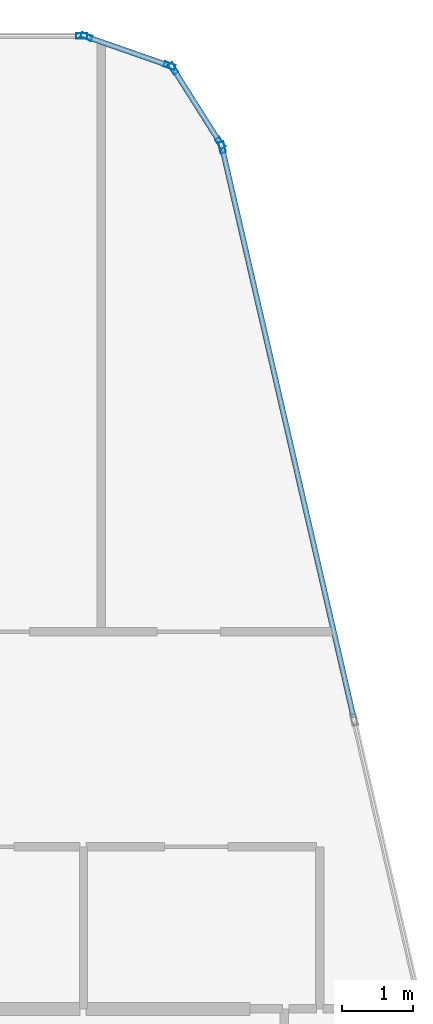
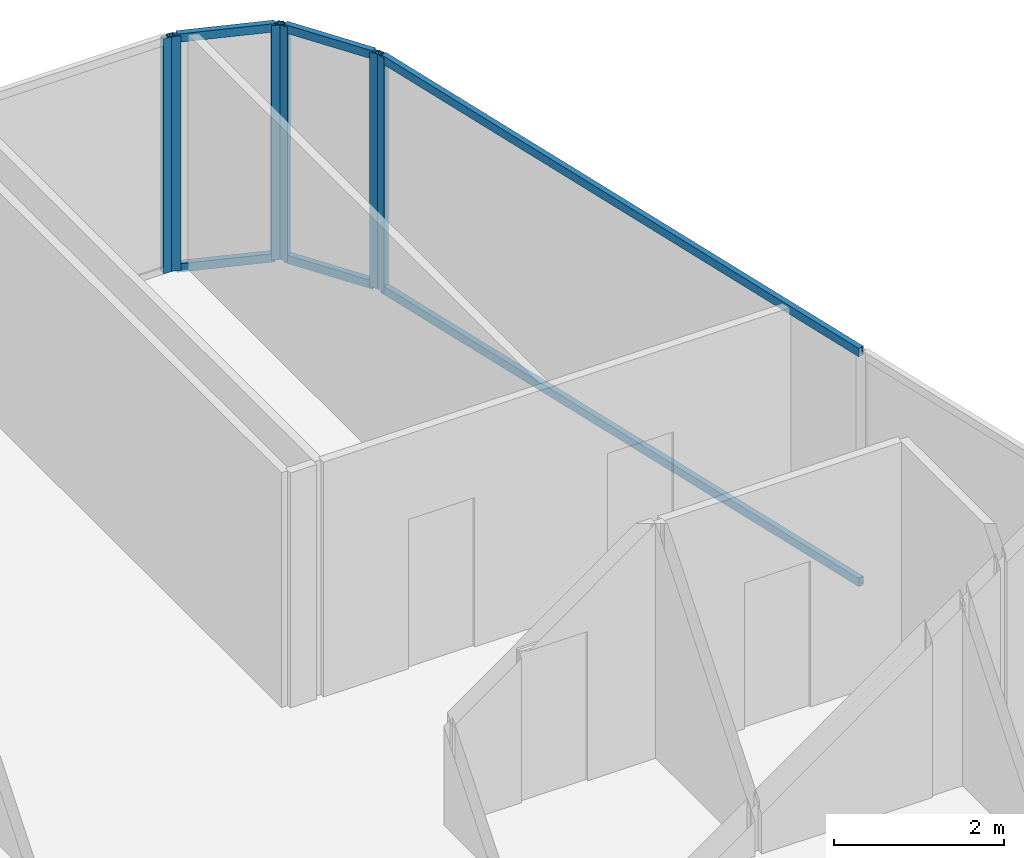
# One storey, part 21 of 29: 12 members, 4 elements without a shape of their own.
"""IFC4 building model written with IfcOpenShell, lengths in metres."""

from ifc_helpers import new_model, si_unit, direction, frame, origin, origin_2d, place, context, subcontext, project, spatial, hollow_rectangle, extrude, material, layer, layer_set, material_profile, profile_set, type_object, element, aggregate, save


model = new_model("IFC4")

# Units and contexts
model_context = context("Model", 3, precision=1e-05, world=origin(), true_north=direction((0.0, 1.0)))
body_context = subcontext(model_context, "Body", "Model", "MODEL_VIEW")
ifc_project = project(units=[si_unit("LENGTHUNIT", "METRE"), si_unit("AREAUNIT", "SQUARE_METRE"), si_unit("VOLUMEUNIT", "CUBIC_METRE"), si_unit("PLANEANGLEUNIT", "RADIAN"), si_unit("MASSUNIT", "GRAM", prefix="KILO")], contexts=[model_context])

# Site, building, storey
site_placement = place(None, origin())
site = spatial("IfcSite", under=ifc_project, at=site_placement, CompositionType="ELEMENT")
building_placement = place(site_placement, origin())
building = spatial("IfcBuilding", under=site, at=building_placement, Name="Keshet Zoharim Tower", CompositionType="ELEMENT")
storey_placement = place(building_placement, frame((0.0, 0.0, 214.300048828125)))
storey = spatial("IfcBuildingStorey", under=building, at=storey_placement, Name="L53", CompositionType="ELEMENT", Elevation=214.300048828125)

# Curtain wall, member
ifc_material = material(Name="Aluminium 6063-T6", Category="aluminium")
ifc_layer = layer(ifc_material, 0.139892578125)
ifc_layer_set = layer_set([ifc_layer], Name="Aluminium 6063-T6")
curtain_wall_type = type_object("IfcCurtainWallType", Name="CW-SYS-05", PredefinedType="NOTDEFINED", material=ifc_layer_set)
curtain_wall_1_placement = place(storey_placement, origin())
curtain_wall_1 = element("IfcCurtainWall", 1, at=curtain_wall_1_placement, inside=storey, type_object=curtain_wall_type, Name="L53 Unitised Curtain Wall 16 Part 3", PredefinedType="NOTDEFINED")
ifc_material_profile_1 = material_profile(ifc_material, hollow_rectangle(XDim=0.074951171875, YDim=0.159912109375, WallThickness=0.00390625, at=origin_2d()), Name="MUL-75x160")
ifc_profile_set_1 = profile_set([ifc_material_profile_1], Name="Aluminium 6063-T6")
member_type_1 = type_object("IfcMemberType", Name="CWM-M15", PredefinedType="MULLION", material=ifc_profile_set_1)
member_1_placement = place(storey_placement, frame((37.3740234375, 53.89990234375, 0.0), z_axis=(0.0, 0.0, 1.0), x_axis=(0.0, 1.0, 0.0)))
member_1 = element("IfcMember", 2, at=member_1_placement, type_object=member_type_1, Name="CW-05 mullion 3", PredefinedType="MULLION", context=body_context, shape_type="SweptSolid", body=[
    extrude(hollow_rectangle(XDim=0.074951171875, YDim=0.159912109375, WallThickness=0.00390625, at=origin_2d()), origin(), (0.0, 0.0, 1.0), 3.3798828125),
])
aggregate(curtain_wall_1, [member_1])

# Curtain wall, members
curtain_wall_2_placement = place(storey_placement, origin())
curtain_wall_2 = element("IfcCurtainWall", 3, at=curtain_wall_2_placement, inside=storey, type_object=curtain_wall_type, Name="L53 Unitised Curtain Wall 17", PredefinedType="NOTDEFINED")
member_2_placement = place(storey_placement, frame((37.442138671875, 53.888427734375, 0.0), z_axis=(0.0, 0.0, 1.0), x_axis=(0.329843743636, 0.944035542119, 0.0)))
member_2 = element("IfcMember", 4, at=member_2_placement, type_object=member_type_1, Name="CW-05 mullion 1", PredefinedType="MULLION", context=body_context, shape_type="SweptSolid", body=[
    extrude(hollow_rectangle(XDim=0.074951171875, YDim=0.159912109375, WallThickness=0.00390625, at=origin_2d()), origin(), (0.0, 0.0, 1.0), 3.3798828125),
])
member_3_placement = place(storey_placement, frame((38.620849609375, 53.4765625, 0.0), z_axis=(0.0, 0.0, 1.0), x_axis=(0.329843743636, 0.944035542119, 0.0)))
member_3 = element("IfcMember", 5, at=member_3_placement, type_object=member_type_1, Name="CW-05 mullion 2", PredefinedType="MULLION", context=body_context, shape_type="SweptSolid", body=[
    extrude(hollow_rectangle(XDim=0.074951171875, YDim=0.159912109375, WallThickness=0.00390625, at=origin_2d()), origin(), (0.0, 0.0, 1.0), 3.3798828125),
])

curtain_wall_3_placement = place(storey_placement, origin())
curtain_wall_3 = element("IfcCurtainWall", 6, at=curtain_wall_3_placement, inside=storey, type_object=curtain_wall_type, Name="L53 Unitised Curtain Wall 18", PredefinedType="NOTDEFINED")
member_4_placement = place(storey_placement, frame((38.672607421875, 53.435302734375, 0.0), z_axis=(0.0, 0.0, 1.0), x_axis=(0.845560976183, 0.533878858502, 0.0)))
member_4 = element("IfcMember", 7, at=member_4_placement, type_object=member_type_1, Name="CW-05 mullion 1", PredefinedType="MULLION", context=body_context, shape_type="SweptSolid", body=[
    extrude(hollow_rectangle(XDim=0.074951171875, YDim=0.159912109375, WallThickness=0.00390625, at=origin_2d()), origin(), (0.0, 0.0, 1.0), 3.3798828125),
])
member_5_placement = place(storey_placement, frame((39.33935546875, 52.379638671875, 0.0), z_axis=(0.0, 0.0, 1.0), x_axis=(0.845560976183, 0.533878858502, 0.0)))
member_5 = element("IfcMember", 8, at=member_5_placement, type_object=member_type_1, Name="CW-05 mullion 2", PredefinedType="MULLION", context=body_context, shape_type="SweptSolid", body=[
    extrude(hollow_rectangle(XDim=0.074951171875, YDim=0.159912109375, WallThickness=0.00390625, at=origin_2d()), origin(), (0.0, 0.0, 1.0), 3.3798828125),
])

# Curtain wall, member
curtain_wall_4_placement = place(storey_placement, origin())
curtain_wall_4 = element("IfcCurtainWall", 9, at=curtain_wall_4_placement, inside=storey, type_object=curtain_wall_type, Name="L53 Unitised Curtain Wall 19", PredefinedType="NOTDEFINED")
member_6_placement = place(storey_placement, frame((39.365966796875, 52.31591796875, 0.0), z_axis=(0.0, 0.0, 1.0), x_axis=(0.974393882313, 0.224847864369, 0.0)))
member_6 = element("IfcMember", 10, at=member_6_placement, type_object=member_type_1, Name="CW-05 mullion 1", PredefinedType="MULLION", context=body_context, shape_type="SweptSolid", body=[
    extrude(hollow_rectangle(XDim=0.074951171875, YDim=0.159912109375, WallThickness=0.00390625, at=origin_2d()), origin(), (0.0, 0.0, 1.0), 3.3798828125),
])

# Member
ifc_material_profile_2 = material_profile(ifc_material, hollow_rectangle(XDim=0.074951171875, YDim=0.1201171875, WallThickness=0.00390625, at=origin_2d()), Name="TRN-75x120")
ifc_profile_set_2 = profile_set([ifc_material_profile_2], Name="Aluminium 6063-T6")
member_type_2 = type_object("IfcMemberType", Name="CWT-T12", PredefinedType="USERDEFINED", material=ifc_profile_set_2)
member_7_placement = place(storey_placement, frame((37.47509765625, 53.876953125, 0.034912109375), z_axis=(0.944006789648, -0.329926023675, 0.0), x_axis=(0.329926023675, 0.944006789648, 0.0)))
member_7 = element("IfcMember", 11, at=member_7_placement, type_object=member_type_2, Name="CW-05 transom 1.1", ObjectType="TRANSOM", PredefinedType="USERDEFINED", context=body_context, shape_type="SweptSolid", body=[
    extrude(hollow_rectangle(XDim=0.074951171875, YDim=0.1201171875, WallThickness=0.00390625, at=origin_2d()), origin(), (0.0, 0.0, 1.0), 1.1787109375),
])

member_8_placement = place(storey_placement, frame((37.47509765625, 53.876953125, 3.344970703125), z_axis=(0.944006789648, -0.329926023675, 0.0), x_axis=(0.329926023675, 0.944006789648, 0.0)))
member_8 = element("IfcMember", 12, at=member_8_placement, type_object=member_type_2, Name="CW-05 transom 1.2", ObjectType="TRANSOM", PredefinedType="USERDEFINED", context=body_context, shape_type="SweptSolid", body=[
    extrude(hollow_rectangle(XDim=0.074951171875, YDim=0.1201171875, WallThickness=0.00390625, at=origin_2d()), origin(), (0.0, 0.0, 1.0), 1.1787109375),
])

aggregate(curtain_wall_2, [member_2, member_3, member_7, member_8])

member_9_placement = place(storey_placement, frame((38.69140625, 53.40576171875, 0.034912109375), z_axis=(0.53382931122, -0.845592257819, 0.0), x_axis=(0.845592257819, 0.53382931122, 0.0)))
member_9 = element("IfcMember", 13, at=member_9_placement, type_object=member_type_2, Name="CW-05 transom 1.1", ObjectType="TRANSOM", PredefinedType="USERDEFINED", context=body_context, shape_type="SweptSolid", body=[
    extrude(hollow_rectangle(XDim=0.074951171875, YDim=0.1201171875, WallThickness=0.00390625, at=origin_2d()), origin(), (0.0, 0.0, 1.0), 1.178466796875),
])

member_10_placement = place(storey_placement, frame((38.69140625, 53.40576171875, 3.344970703125), z_axis=(0.53382931122, -0.845592257819, 0.0), x_axis=(0.845592257819, 0.53382931122, 0.0)))
member_10 = element("IfcMember", 14, at=member_10_placement, type_object=member_type_2, Name="CW-05 transom 1.2", ObjectType="TRANSOM", PredefinedType="USERDEFINED", context=body_context, shape_type="SweptSolid", body=[
    extrude(hollow_rectangle(XDim=0.074951171875, YDim=0.1201171875, WallThickness=0.00390625, at=origin_2d()), origin(), (0.0, 0.0, 1.0), 1.178466796875),
])

aggregate(curtain_wall_3, [member_4, member_5, member_9, member_10])

member_11_placement = place(storey_placement, frame((39.373779296875, 52.28173828125, 0.034912109375), z_axis=(0.224835758738, -0.974396675688, 0.0), x_axis=(0.974396675688, 0.224835758738, 0.0)))
member_11 = element("IfcMember", 15, at=member_11_placement, type_object=member_type_2, Name="CW-05 transom 1.1", ObjectType="TRANSOM", PredefinedType="USERDEFINED", context=body_context, shape_type="SweptSolid", body=[
    extrude(hollow_rectangle(XDim=0.074951171875, YDim=0.1201171875, WallThickness=0.00390625, at=origin_2d()), origin(), (0.0, 0.0, 1.0), 8.259033203125),
])

member_12_placement = place(storey_placement, frame((39.373779296875, 52.28173828125, 3.344970703125), z_axis=(0.224835758738, -0.974396675688, 0.0), x_axis=(0.974396675688, 0.224835758738, 0.0)))
member_12 = element("IfcMember", 16, at=member_12_placement, type_object=member_type_2, Name="CW-05 transom 1.2", ObjectType="TRANSOM", PredefinedType="USERDEFINED", context=body_context, shape_type="SweptSolid", body=[
    extrude(hollow_rectangle(XDim=0.074951171875, YDim=0.1201171875, WallThickness=0.00390625, at=origin_2d()), origin(), (0.0, 0.0, 1.0), 8.259033203125),
])

aggregate(curtain_wall_4, [member_6, member_11, member_12])

save(model, "model.ifc")
